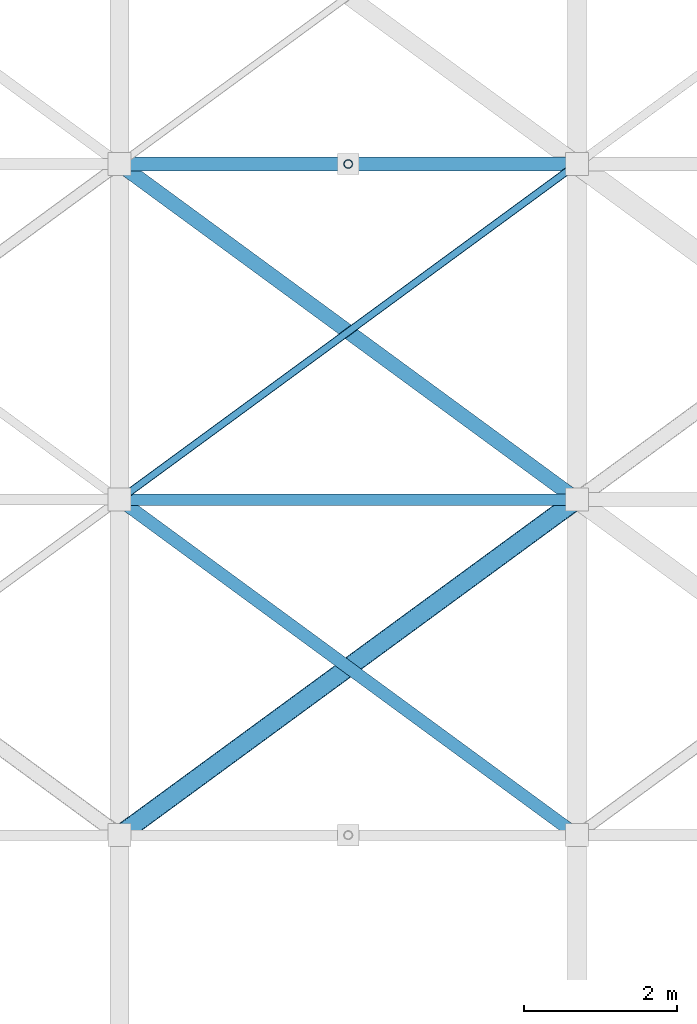
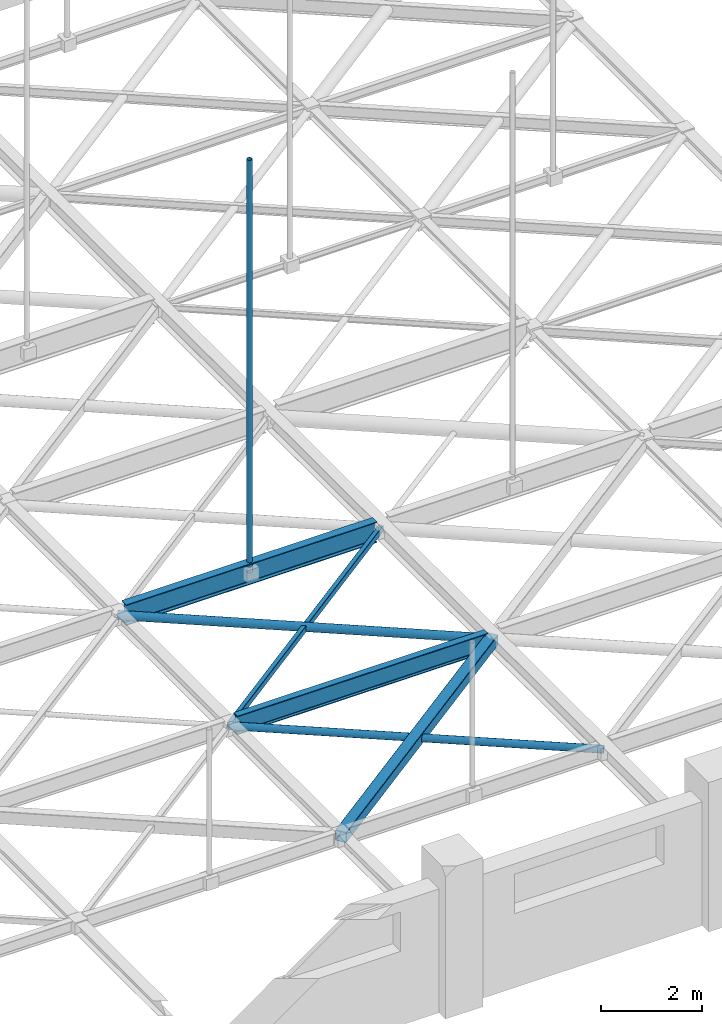
# One storey, part 37 of 93: 5 members, 2 beams.
"""IFC4 building model written with IfcOpenShell, lengths in metres."""

import ifcopenshell
import ifcopenshell.guid

model = None  # the IFC model being written
_history = None  # IfcOwnerHistory: only IFC2X3 demands one
_inside = {}  # id of a spatial element -> (the spatial element, [elements in it])
_under = {}  # id of a project, library or spatial element -> (it, [spatial elements below it])
_declared = {}  # id of a project -> (the project, [libraries it declares])
_typed = {}  # id of a type object -> (the type object, [elements of that type])
_made_of = {}  # id of a material, layer set ... -> (it, [elements and type objects made of it])


def new_model(schema):
    """Start an empty IFC model of exactly this schema.

    Asked for "IFC4X3", IfcOpenShell would pick the latest addendum, in which some entities
    have other attributes; the version numbers below select the first issue.
    IFC2X3 requires an IfcOwnerHistory on every rooted entity: one is made here for all.
    """
    global model, _history
    if schema == "IFC4X3":
        model = ifcopenshell.file(schema_version=(4, 3, 0, 0))
    else:
        model = ifcopenshell.file(schema=schema)
    _inside.clear()
    _under.clear()
    _declared.clear()
    _typed.clear()
    _made_of.clear()
    _history = None
    if model.schema == "IFC2X3":
        org = make("IfcOrganization", Name="unknown")
        user = make(
            "IfcPersonAndOrganization",
            ThePerson=make("IfcPerson", FamilyName="unknown"),
            TheOrganization=org,
        )
        app = make(
            "IfcApplication",
            ApplicationDeveloper=org,
            Version="unknown",
            ApplicationFullName="unknown",
            ApplicationIdentifier="unknown",
        )
        _history = make(
            "IfcOwnerHistory",
            OwningUser=user,
            OwningApplication=app,
            ChangeAction="ADDED",
            CreationDate=0,
        )
    return model


def make(cls, **values):
    """One entity of the class cls with the attributes given. An attribute that is None is left unset."""
    return model.create_entity(
        cls, **{name: value for name, value in values.items() if value is not None}
    )


def rooted(cls, **values):
    """An entity with a GlobalId (a new one), such as an element, a storey or a relation."""
    return make(cls, GlobalId=ifcopenshell.guid.new(), OwnerHistory=_history, **values)


def si_unit(unit_type, name, prefix=None):
    """IfcSIUnit, for example si_unit("LENGTHUNIT", "METRE", prefix="MILLI")."""
    return make("IfcSIUnit", UnitType=unit_type, Prefix=prefix, Name=name)


def assignment(units):
    """IfcUnitAssignment: the units of a project."""
    return None if units is None else make("IfcUnitAssignment", Units=units)


def point(xyz):
    """IfcCartesianPoint."""
    return None if xyz is None else make("IfcCartesianPoint", Coordinates=xyz)


def direction(xyz):
    """IfcDirection."""
    return None if xyz is None else make("IfcDirection", DirectionRatios=xyz)


def frame(location, z_axis=None, x_axis=None):
    """IfcAxis2Placement3D, a coordinate frame: its origin and axes. An axis left out is left unset."""
    return make(
        "IfcAxis2Placement3D",
        Location=point(location),
        Axis=direction(z_axis),
        RefDirection=direction(x_axis),
    )


def frame_2d(location, x_axis=None):
    """IfcAxis2Placement2D, a coordinate frame in the plane: its origin and x axis."""
    return make(
        "IfcAxis2Placement2D", Location=point(location), RefDirection=direction(x_axis)
    )


def origin():
    """The frame at (0, 0, 0) with its axes left unset."""
    return frame((0.0, 0.0, 0.0))


def origin_2d():
    """The frame at (0, 0) in the plane with its x axis left unset."""
    return frame_2d((0.0, 0.0))


def place(relative_to, where):
    """IfcLocalPlacement: puts the frame where relative to a parent placement (None: the world)."""
    return make(
        "IfcLocalPlacement", PlacementRelTo=relative_to, RelativePlacement=where
    )


def context(
    kind, dimensions, precision=None, world=None, true_north=None, identifier=None
):
    """IfcGeometricRepresentationContext, for example the 3D "Model" context."""
    return make(
        "IfcGeometricRepresentationContext",
        ContextIdentifier=identifier,
        ContextType=kind,
        CoordinateSpaceDimension=dimensions,
        Precision=precision,
        WorldCoordinateSystem=world,
        TrueNorth=true_north,
    )


def subcontext(parent, identifier, kind, view, scale=None):
    """IfcGeometricRepresentationSubContext, for example "Body" below "Model"."""
    return make(
        "IfcGeometricRepresentationSubContext",
        ContextIdentifier=identifier,
        ContextType=kind,
        ParentContext=parent,
        TargetScale=scale,
        TargetView=view,
    )


def project(units=None, contexts=None):
    """IfcProject with its units and contexts."""
    return rooted(
        "IfcProject",
        Name="project",
        RepresentationContexts=contexts,
        UnitsInContext=assignment(units),
    )


def spatial(cls, under=None, at=None, **own):
    """A site, building, storey or space (cls), placed at a placement, below another one or the project."""
    s = rooted(cls, ObjectPlacement=at, **own)
    if under is not None:
        _under.setdefault(under.id(), (under, []))[1].append(s)
    return s


def profile(cls, at=None, kind="AREA", **sizes):
    """A parametric profile (cls). Its sizes go by their IFC names, for example OverallWidth=200.0."""
    return make(cls, ProfileType=kind, Position=at, **sizes)


def hollow_rectangle(**sizes):
    """IfcRectangleHollowProfileDef."""
    return profile("IfcRectangleHollowProfileDef", **sizes)


def hollow_circle(**sizes):
    """IfcCircleHollowProfileDef."""
    return profile("IfcCircleHollowProfileDef", **sizes)


def i_section(**sizes):
    """IfcIShapeProfileDef."""
    return profile("IfcIShapeProfileDef", **sizes)


def extrude(swept, where, along, depth):
    """IfcExtrudedAreaSolid: the profile swept, set in the frame where, extruded along a direction by depth."""
    return make(
        "IfcExtrudedAreaSolid",
        SweptArea=swept,
        Position=where,
        ExtrudedDirection=direction(along),
        Depth=depth,
    )


def shape(context_of_items, identifier, shape_type, items):
    """IfcShapeRepresentation: the items that make up one representation, for example the "Body"."""
    return make(
        "IfcShapeRepresentation",
        ContextOfItems=context_of_items,
        RepresentationIdentifier=identifier,
        RepresentationType=shape_type,
        Items=items,
    )


def material(Name=None, Category=None):
    """IfcMaterial."""
    return make("IfcMaterial", Name=Name, Category=Category)


def material_profile(
    of_material, cross_section, Name=None, Category=None, Priority=None
):
    """IfcMaterialProfile: a cross section and its material."""
    return make(
        "IfcMaterialProfile",
        Name=Name,
        Material=of_material,
        Profile=cross_section,
        Priority=Priority,
        Category=Category,
    )


def profile_set(profiles, Name=None, composite=None):
    """IfcMaterialProfileSet."""
    return make(
        "IfcMaterialProfileSet",
        Name=Name,
        MaterialProfiles=profiles,
        CompositeProfile=composite,
    )


def made_of(thing, what):
    """Note that an element or type object is made of a material, layer set ...; save() writes the relation."""
    if what is not None:
        _made_of.setdefault(what.id(), (what, []))[1].append(thing)
    return thing


def type_object(cls, material=None, **own):
    """A type object (cls), such as IfcWallType, which elements share."""
    return made_of(rooted(cls, **own), material)


def element(
    cls,
    number,
    at=None,
    inside=None,
    cuts=None,
    type_object=None,
    material=None,
    context=None,
    identifier="Body",
    shape_type=None,
    held_by="IfcProductDefinitionShape",
    body=None,
    shapes=None,
    **own,
):
    """One element of the class cls, such as IfcWall. Its Tag is "e" and its number.

    at: its placement. inside: the storey or other place that contains it. cuts: it is an
    opening in that element (IfcRelVoidsElement). A single representation is given by context,
    identifier, shape_type and body (its items); several are given by shapes. held_by: the class
    of the entity that holds the representations. save() writes the other relations.
    """
    e = rooted(cls, Tag="e%d" % number, ObjectPlacement=at, **own)
    if body is not None:
        shapes = [shape(context, identifier, shape_type, body)]
    if shapes is not None:
        e.Representation = make(held_by, Representations=shapes)
    if inside is not None:
        _inside.setdefault(inside.id(), (inside, []))[1].append(e)
    if cuts is not None:
        rooted(
            "IfcRelVoidsElement", RelatingBuildingElement=cuts, RelatedOpeningElement=e
        )
    if type_object is not None:
        _typed.setdefault(type_object.id(), (type_object, []))[1].append(e)
    return made_of(e, material)


def aggregate(whole, parts):
    """IfcRelAggregates: a whole, such as a stair, and the parts it consists of."""
    return rooted("IfcRelAggregates", RelatingObject=whole, RelatedObjects=parts)


def save(model, path):
    """Write the relations noted so far, then the file.

    IfcRelAggregates (storeys below a building ...), IfcRelContainedInSpatialStructure (elements
    in a storey), IfcRelDefinesByType, IfcRelAssociatesMaterial and IfcRelDeclares: one each for
    every whole, place, type object, material and project.
    """
    for whole, parts in _under.values():
        aggregate(whole, parts)
    for where, things in _inside.values():
        rooted(
            "IfcRelContainedInSpatialStructure",
            RelatedElements=things,
            RelatingStructure=where,
        )
    for kind, things in _typed.values():
        rooted("IfcRelDefinesByType", RelatedObjects=things, RelatingType=kind)
    for what, things in _made_of.values():
        rooted("IfcRelAssociatesMaterial", RelatedObjects=things, RelatingMaterial=what)
    for by, libraries in _declared.values():
        rooted("IfcRelDeclares", RelatingContext=by, RelatedDefinitions=libraries)
    model.write(path)


model = new_model("IFC4")

# Units and contexts
model_context = context("Model", 3, precision=1e-05, world=origin(), true_north=direction((0.0, 1.0)))
body_context = subcontext(model_context, "Body", "Model", "MODEL_VIEW")
ifc_project = project(units=[si_unit("LENGTHUNIT", "METRE"), si_unit("AREAUNIT", "SQUARE_METRE"), si_unit("VOLUMEUNIT", "CUBIC_METRE"), si_unit("PLANEANGLEUNIT", "RADIAN"), si_unit("MASSUNIT", "GRAM", prefix="KILO")], contexts=[model_context])

# Site, building, storey
site_placement = place(None, origin())
site = spatial("IfcSite", under=ifc_project, at=site_placement, CompositionType="ELEMENT")
building_placement = place(site_placement, origin())
building = spatial("IfcBuilding", under=site, at=building_placement, Name="Varnakota Cinema and Media Centre", CompositionType="ELEMENT")
storey_placement = place(building_placement, frame((0.0, 0.0, 12.0)))
storey = spatial("IfcBuildingStorey", under=building, at=storey_placement, Name="L03", CompositionType="ELEMENT", Elevation=12.0)

# Beams
ifc_material_1 = material(Name="Structural steel Grade 350 (E350)", Category="steel")
ifc_material_profile_1 = material_profile(ifc_material_1, i_section(OverallWidth=0.14990234375, OverallDepth=0.449951171875, WebThickness=0.009521484375, FlangeThickness=0.017333984375, FilletRadius=0.014892578125, at=origin_2d()), Name="ISMB 450")
ifc_profile_set_1 = profile_set([ifc_material_profile_1], Name="Structural steel Grade 350 (E350)")
beam_type_1 = type_object("IfcBeamType", Name="BM-ST-ISMB450", PredefinedType="BEAM", material=ifc_profile_set_1)
beam_1_placement = place(storey_placement, frame((111.139892578125, 8.800048828125, 1.300048828125), z_axis=(1.0, 0.0, 0.0), x_axis=(0.0, 1.0, 0.0)))
element("IfcBeam", 1, at=beam_1_placement, inside=storey, type_object=beam_type_1, Name="V1 rigging beam 7.2", PredefinedType="BEAM", context=body_context, shape_type="SweptSolid", body=[
    extrude(i_section(OverallWidth=0.14990234375, OverallDepth=0.449951171875, WebThickness=0.009521484375, FlangeThickness=0.017333984375, FilletRadius=0.014892578125, at=origin_2d()), origin(), (0.0, 0.0, 1.0), 5.72021484375),
])
ifc_material_2 = material(Name="Structural steel Grade 350 (E350)", Category="steel")
ifc_material_profile_2 = material_profile(ifc_material_2, i_section(OverallWidth=0.179931640625, OverallDepth=0.5, WebThickness=0.01025390625, FlangeThickness=0.01708984375, FilletRadius=0.01708984375, at=origin_2d()), Name="ISMB 500")
ifc_profile_set_2 = profile_set([ifc_material_profile_2], Name="Structural steel Grade 350 (E350)")
beam_type_2 = type_object("IfcBeamType", Name="BM-ST-ISMB500", PredefinedType="BEAM", material=ifc_profile_set_2)
beam_2_placement = place(storey_placement, frame((111.139892578125, 13.199951171875, 1.300048828125), z_axis=(1.0, 0.0, 0.0), x_axis=(0.0, 1.0, 0.0)))
element("IfcBeam", 2, at=beam_2_placement, inside=storey, type_object=beam_type_2, Name="V1 rigging beam 7.3", PredefinedType="BEAM", context=body_context, shape_type="SweptSolid", body=[
    extrude(i_section(OverallWidth=0.179931640625, OverallDepth=0.5, WebThickness=0.01025390625, FlangeThickness=0.01708984375, FilletRadius=0.01708984375, at=origin_2d()), origin(), (0.0, 0.0, 1.0), 5.72021484375),
])

# Members
ifc_material_3 = material(Name="Structural steel S355 (YSt 355)", Category="steel")
ifc_material_profile_3 = material_profile(ifc_material_3, hollow_circle(Radius=0.05712890625, WallThickness=0.00537109375, at=origin_2d()), Name="CHS 114.3x5.4")
ifc_profile_set_3 = profile_set([ifc_material_profile_3], Name="Structural steel S355 (YSt 355)")
member_type_1 = type_object("IfcMemberType", Name="MEM-ST-CHS114_3x5_4", PredefinedType="BRACE", material=ifc_profile_set_3)
member_1_placement = place(storey_placement, frame((114.0, 13.199951171875, 1.300048828125), z_axis=(0.0, 0.0, 1.0), x_axis=(1.0, 0.0, 0.0)))
element("IfcMember", 3, at=member_1_placement, inside=storey, type_object=member_type_1, Name="V1 rigging hanger 7.2", PredefinedType="BRACE", context=body_context, shape_type="SweptSolid", body=[
    extrude(hollow_circle(Radius=0.05712890625, WallThickness=0.00537109375, at=origin_2d()), origin(), (0.0, 0.0, 1.0), 9.949951171875),
])
ifc_material_4 = material(Name="Structural steel S355 (YSt 355)", Category="steel")
ifc_material_profile_4 = material_profile(ifc_material_4, hollow_circle(Radius=0.084228515625, WallThickness=0.00634765625, at=origin_2d()), Name="CHS 168.3x6.3")
ifc_profile_set_4 = profile_set([ifc_material_profile_4], Name="Structural steel S355 (YSt 355)")
member_type_2 = type_object("IfcMemberType", Name="MEM-ST-CHS168_3x6_3", PredefinedType="BRACE", material=ifc_profile_set_4)
member_2_placement = place(storey_placement, frame((117.0, 4.39990234375, 1.300048828125), z_axis=(-0.806395607258, 0.591376466048, 0.0), x_axis=(-0.591376466048, -0.806395607258, 0.0)))
element("IfcMember", 4, at=member_2_placement, inside=storey, type_object=member_type_2, Name="V1 rigging plan member B 7.1", PredefinedType="BRACE", context=body_context, shape_type="SweptSolid", body=[
    extrude(hollow_circle(Radius=0.084228515625, WallThickness=0.00634765625, at=origin_2d()), origin(), (0.0, 0.0, 1.0), 7.4404296875),
])
ifc_material_5 = material(Name="Structural steel S355 (YSt 355)", Category="steel")
ifc_material_profile_5 = material_profile(ifc_material_5, hollow_circle(Radius=0.096923828125, WallThickness=0.00634765625, at=origin_2d()), Name="CHS 193.7x6.3")
ifc_profile_set_5 = profile_set([ifc_material_profile_5], Name="Structural steel S355 (YSt 355)")
member_type_3 = type_object("IfcMemberType", Name="MEM-ST-CHS193_7x6_3", PredefinedType="CHORD", material=ifc_profile_set_5)
member_3_placement = place(storey_placement, frame((117.0, 8.800048828125, 1.300048828125), z_axis=(-0.80641125493, 0.591355128432, 0.0), x_axis=(-0.591355128432, -0.80641125493, 0.0)))
element("IfcMember", 5, at=member_3_placement, inside=storey, type_object=member_type_3, Name="V1 rigging plan member B 7.2", PredefinedType="CHORD", context=body_context, shape_type="SweptSolid", body=[
    extrude(hollow_circle(Radius=0.096923828125, WallThickness=0.00634765625, at=origin_2d()), origin(), (0.0, 0.0, 1.0), 7.4404296875),
])
ifc_material_6 = material(Name="Structural steel S355 (YSt 355)", Category="steel")
ifc_material_profile_6 = material_profile(ifc_material_6, hollow_rectangle(XDim=0.10009765625, YDim=0.14990234375, WallThickness=0.006103515625, InnerFilletRadius=0.006103515625, OuterFilletRadius=0.011962890625, at=origin_2d()), Name="RHS 150x100x6")
ifc_profile_set_6 = profile_set([ifc_material_profile_6], Name="Structural steel S355 (YSt 355)")
member_type_4 = type_object("IfcMemberType", Name="MEM-ST-RHS150x100x6", PredefinedType="PURLIN", material=ifc_profile_set_6)
member_4_placement = place(storey_placement, frame((111.0, 8.800048828125, 1.300048828125), z_axis=(0.80641125493, 0.591355128432, 0.0), x_axis=(-0.591355128432, 0.80641125493, 0.0)))
element("IfcMember", 6, at=member_4_placement, inside=storey, type_object=member_type_4, Name="V1 rigging plan member A 7.2", PredefinedType="PURLIN", context=body_context, shape_type="SweptSolid", body=[
    extrude(hollow_rectangle(XDim=0.10009765625, YDim=0.14990234375, WallThickness=0.006103515625, InnerFilletRadius=0.006103515625, OuterFilletRadius=0.011962890625, at=origin_2d()), origin(), (0.0, 0.0, 1.0), 7.4404296875),
])
ifc_material_7 = material(Name="Structural steel S355 (YSt 355)", Category="steel")
ifc_material_profile_7 = material_profile(ifc_material_7, hollow_rectangle(XDim=0.25, YDim=0.25, WallThickness=0.010009765625, InnerFilletRadius=0.010009765625, OuterFilletRadius=0.02001953125, at=origin_2d()), Name="SHS 250x250x10")
ifc_profile_set_7 = profile_set([ifc_material_profile_7], Name="Structural steel S355 (YSt 355)")
member_type_5 = type_object("IfcMemberType", Name="MEM-ST-SHS250x250x10", PredefinedType="STRUT", material=ifc_profile_set_7)
member_5_placement = place(storey_placement, frame((111.0, 4.39990234375, 1.300048828125), z_axis=(0.806395607258, 0.591376466048, 0.0), x_axis=(-0.591376466048, 0.806395607258, 0.0)))
element("IfcMember", 7, at=member_5_placement, inside=storey, type_object=member_type_5, Name="V1 rigging plan member A 7.1", PredefinedType="STRUT", context=body_context, shape_type="SweptSolid", body=[
    extrude(hollow_rectangle(XDim=0.25, YDim=0.25, WallThickness=0.010009765625, InnerFilletRadius=0.010009765625, OuterFilletRadius=0.02001953125, at=origin_2d()), origin(), (0.0, 0.0, 1.0), 7.4404296875),
])

save(model, "model.ifc")
